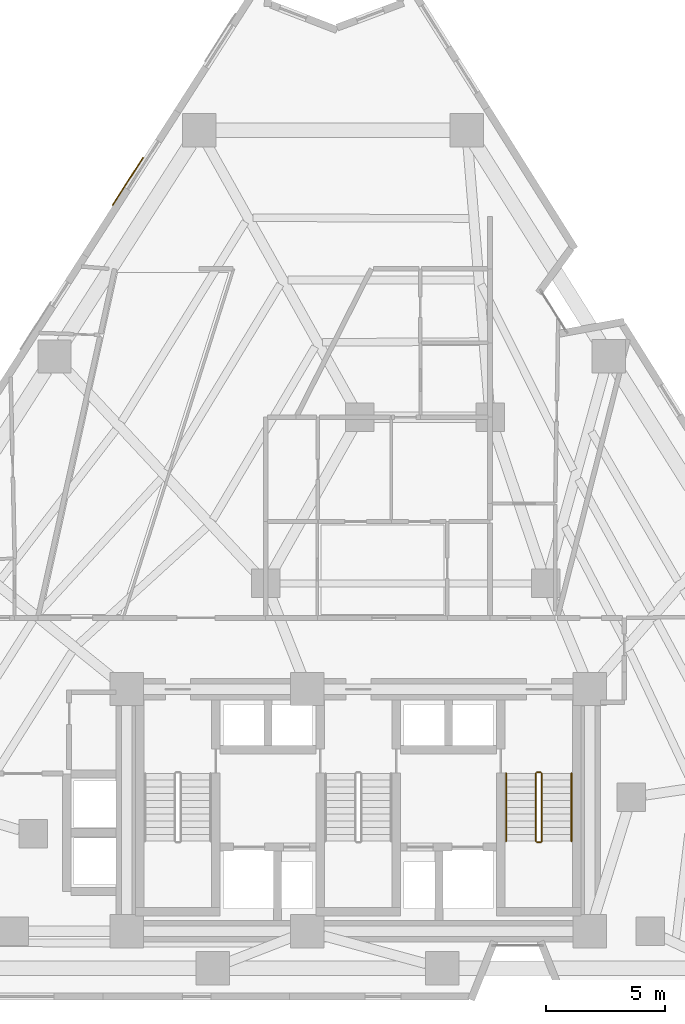
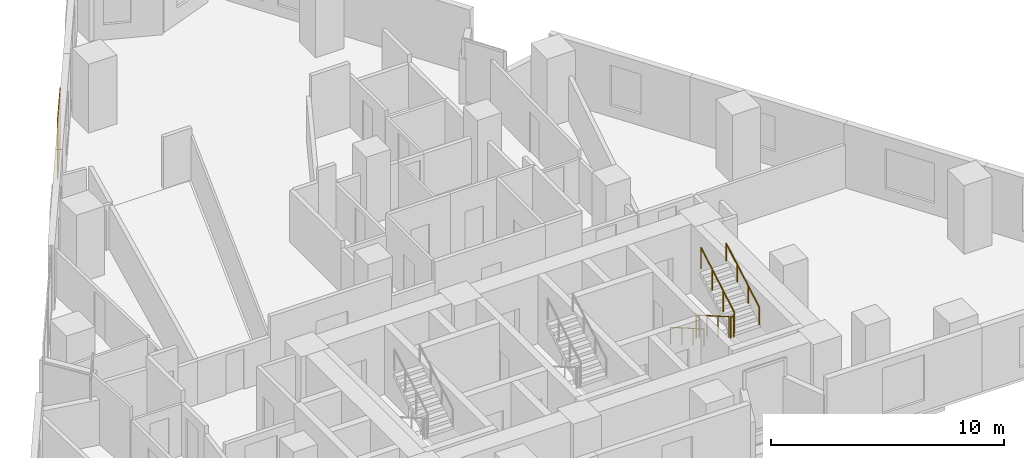
# One storey, part 13 of 14: 6 railings, 1 covering.
"""IFC4 building model written with IfcOpenShell, lengths in metres."""

from ifc_helpers import new_model, si_unit, direction, frame, origin, origin_2d, place, context, subcontext, project, spatial, rectangle, circle, extrude, material, layer, layer_set, type_object, element, save


model = new_model("IFC4")

# Units and contexts
model_context = context("Model", 3, precision=1e-05, world=origin(), true_north=direction((0.0, 1.0)))
body_context = subcontext(model_context, "Body", "Model", "MODEL_VIEW")
ifc_project = project(units=[si_unit("LENGTHUNIT", "METRE"), si_unit("AREAUNIT", "SQUARE_METRE"), si_unit("VOLUMEUNIT", "CUBIC_METRE"), si_unit("PLANEANGLEUNIT", "RADIAN"), si_unit("MASSUNIT", "GRAM", prefix="KILO")], contexts=[model_context])

# Site, building, storey
site_placement = place(None, origin())
site = spatial("IfcSite", under=ifc_project, at=site_placement, CompositionType="ELEMENT")
building_placement = place(site_placement, origin())
building = spatial("IfcBuilding", under=site, at=building_placement, Name="Almagre Mirador Tower", CompositionType="ELEMENT")
storey_placement = place(building_placement, frame((0.0, 0.0, 60.60009765625)))
storey = spatial("IfcBuildingStorey", under=building, at=storey_placement, Name="L14", CompositionType="ELEMENT", Elevation=60.60009765625)

# Covering
ifc_material_1 = material(Name="Almagre terracotta architectural cladding", Category="masonry")
ifc_layer = layer(ifc_material_1, 0.044921875)
ifc_layer_set = layer_set([ifc_layer], Name="Almagre terracotta architectural cladding")
covering_type = type_object("IfcCoveringType", Name="COV-CLAD-ALMAGRE", PredefinedType="CLADDING", material=ifc_layer_set)
covering_placement = place(storey_placement, frame((27.593017578125, 36.130615234375, 0.099853515625), z_axis=(0.0, 0.0, 1.0), x_axis=(0.539505758171, 0.841981910079, 0.0)))
element("IfcCovering", 1, at=covering_placement, inside=storey, type_object=covering_type, Name="L14 almagre terracotta pier cladding", PredefinedType="CLADDING", context=body_context, shape_type="SweptSolid", body=[
    extrude(rectangle(XDim=2.39990234375, YDim=0.044921875, at=origin_2d()), origin(), (0.0, 0.0, 1.0), 3.14990234375),
])

# Railings
ifc_material_2 = material(Name="Painted galvanized steel", Category="steel")
railing_type_1 = type_object("IfcRailingType", Name="RLG-GRD-1100", PredefinedType="GUARDRAIL", material=ifc_material_2)
railing_1_placement = place(storey_placement, frame((44.77490234375, 11.199951171875, 0.16357421875)))
element("IfcRailing", 2, at=railing_1_placement, inside=storey, type_object=railing_type_1, Name="L14 ST-3 stair guard 1", PredefinedType="GUARDRAIL", context=body_context, shape_type="SweptSolid", body=[
    extrude(circle(Radius=0.02392578125, at=origin_2d()), frame((0.0, 0.0, 1.09619140625), z_axis=(0.0, -0.867226363773, 0.497914082927), x_axis=(1.0, 0.0, 0.0)), (0.0, 0.0, 1.0), 3.2861328125),
    extrude(circle(Radius=0.02099609375, at=origin_2d()), origin(), (0.0, 0.0, 1.0), 1.072021484375),
    extrude(circle(Radius=0.02099609375, at=origin_2d()), frame((0.0, -0.949951171875, 0.54541015625)), (0.0, 0.0, 1.0), 1.072021484375),
    extrude(circle(Radius=0.02099609375, at=origin_2d()), frame((0.0, -1.89990234375, 1.0908203125)), (0.0, 0.0, 1.0), 1.072021484375),
    extrude(circle(Radius=0.02099609375, at=origin_2d()), frame((0.0, -2.849853515625, 1.63623046875)), (0.0, 0.0, 1.0), 1.072021484375),
])
railing_2_placement = place(storey_placement, frame((44.824951171875, 8.300048828125, 1.7998046875)))
element("IfcRailing", 3, at=railing_2_placement, inside=storey, type_object=railing_type_1, Name="L14 ST-3 stair guard 2", PredefinedType="GUARDRAIL", context=body_context, shape_type="SweptSolid", body=[
    extrude(circle(Radius=0.02392578125, at=origin_2d()), frame((0.0, 0.0, 1.09619140625), z_axis=(1.0, 0.0, 0.0), x_axis=(0.0, 1.0, 0.0)), (0.0, 0.0, 1.0), 0.150146484375),
    extrude(circle(Radius=0.02099609375, at=origin_2d()), origin(), (0.0, 0.0, 1.0), 1.072021484375),
    extrude(circle(Radius=0.02099609375, at=origin_2d()), frame((0.150146484375, 0.0, 0.0)), (0.0, 0.0, 1.0), 1.072021484375),
])
railing_3_placement = place(storey_placement, frame((45.02490234375, 8.35009765625, 1.963623046875)))
element("IfcRailing", 4, at=railing_3_placement, inside=storey, type_object=railing_type_1, Name="L14 ST-3 stair guard 3", PredefinedType="GUARDRAIL", context=body_context, shape_type="SweptSolid", body=[
    extrude(circle(Radius=0.02392578125, at=origin_2d()), frame((0.0, 0.0, 1.09619140625), z_axis=(0.0, 0.867226363773, 0.497914082927), x_axis=(-1.0, 0.0, 0.0)), (0.0, 0.0, 1.0), 3.2861328125),
    extrude(circle(Radius=0.02099609375, at=origin_2d()), origin(), (0.0, 0.0, 1.0), 1.072021484375),
    extrude(circle(Radius=0.02099609375, at=origin_2d()), frame((0.0, 0.949951171875, 0.54541015625)), (0.0, 0.0, 1.0), 1.072021484375),
    extrude(circle(Radius=0.02099609375, at=origin_2d()), frame((0.0, 1.89990234375, 1.0908203125)), (0.0, 0.0, 1.0), 1.072021484375),
    extrude(circle(Radius=0.02099609375, at=origin_2d()), frame((0.0, 2.849853515625, 1.63623046875)), (0.0, 0.0, 1.0), 1.072021484375),
])
railing_4_placement = place(storey_placement, frame((44.824951171875, 11.25, 0.0)))
element("IfcRailing", 5, at=railing_4_placement, inside=storey, type_object=railing_type_1, Name="L14 ST-3 stair guard 4", PredefinedType="GUARDRAIL", context=body_context, shape_type="SweptSolid", body=[
    extrude(circle(Radius=0.02392578125, at=origin_2d()), frame((0.0, 0.0, 1.09619140625), z_axis=(1.0, 0.0, 0.0), x_axis=(0.0, 1.0, 0.0)), (0.0, 0.0, 1.0), 0.150146484375),
    extrude(circle(Radius=0.02099609375, at=origin_2d()), origin(), (0.0, 0.0, 1.0), 1.072021484375),
    extrude(circle(Radius=0.02099609375, at=origin_2d()), frame((0.150146484375, 0.0, 0.0)), (0.0, 0.0, 1.0), 1.072021484375),
])
ifc_material_3 = material(Name="Brushed stainless steel", Category="steel")
railing_type_2 = type_object("IfcRailingType", Name="RLG-HND-915", PredefinedType="HANDRAIL", material=ifc_material_3)
railing_5_placement = place(storey_placement, frame((43.52490234375, 11.199951171875, 0.16357421875)))
element("IfcRailing", 6, at=railing_5_placement, inside=storey, type_object=railing_type_2, Name="L14 ST-3 stair handrail 1", PredefinedType="HANDRAIL", context=body_context, shape_type="SweptSolid", body=[
    extrude(circle(Radius=0.02392578125, at=origin_2d()), frame((0.0, 0.0, 0.89111328125), z_axis=(0.0, -0.867226363773, 0.497914082927), x_axis=(1.0, 0.0, 0.0)), (0.0, 0.0, 1.0), 3.2861328125),
    extrude(circle(Radius=0.02099609375, at=origin_2d()), origin(), (0.0, 0.0, 1.0), 0.866943359375),
    extrude(circle(Radius=0.02099609375, at=origin_2d()), frame((0.0, -0.949951171875, 0.54541015625)), (0.0, 0.0, 1.0), 0.866943359375),
    extrude(circle(Radius=0.02099609375, at=origin_2d()), frame((0.0, -1.89990234375, 1.0908203125)), (0.0, 0.0, 1.0), 0.866943359375),
    extrude(circle(Radius=0.02099609375, at=origin_2d()), frame((0.0, -2.849853515625, 1.63623046875)), (0.0, 0.0, 1.0), 0.866943359375),
])
railing_6_placement = place(storey_placement, frame((46.27490234375, 8.35009765625, 1.963623046875)))
element("IfcRailing", 7, at=railing_6_placement, inside=storey, type_object=railing_type_2, Name="L14 ST-3 stair handrail 2", PredefinedType="HANDRAIL", context=body_context, shape_type="SweptSolid", body=[
    extrude(circle(Radius=0.02392578125, at=origin_2d()), frame((0.0, 0.0, 0.89111328125), z_axis=(0.0, 0.867226363773, 0.497914082927), x_axis=(-1.0, 0.0, 0.0)), (0.0, 0.0, 1.0), 3.2861328125),
    extrude(circle(Radius=0.02099609375, at=origin_2d()), origin(), (0.0, 0.0, 1.0), 0.866943359375),
    extrude(circle(Radius=0.02099609375, at=origin_2d()), frame((0.0, 0.949951171875, 0.54541015625)), (0.0, 0.0, 1.0), 0.866943359375),
    extrude(circle(Radius=0.02099609375, at=origin_2d()), frame((0.0, 1.89990234375, 1.0908203125)), (0.0, 0.0, 1.0), 0.866943359375),
    extrude(circle(Radius=0.02099609375, at=origin_2d()), frame((0.0, 2.849853515625, 1.63623046875)), (0.0, 0.0, 1.0), 0.866943359375),
])

save(model, "model.ifc")
